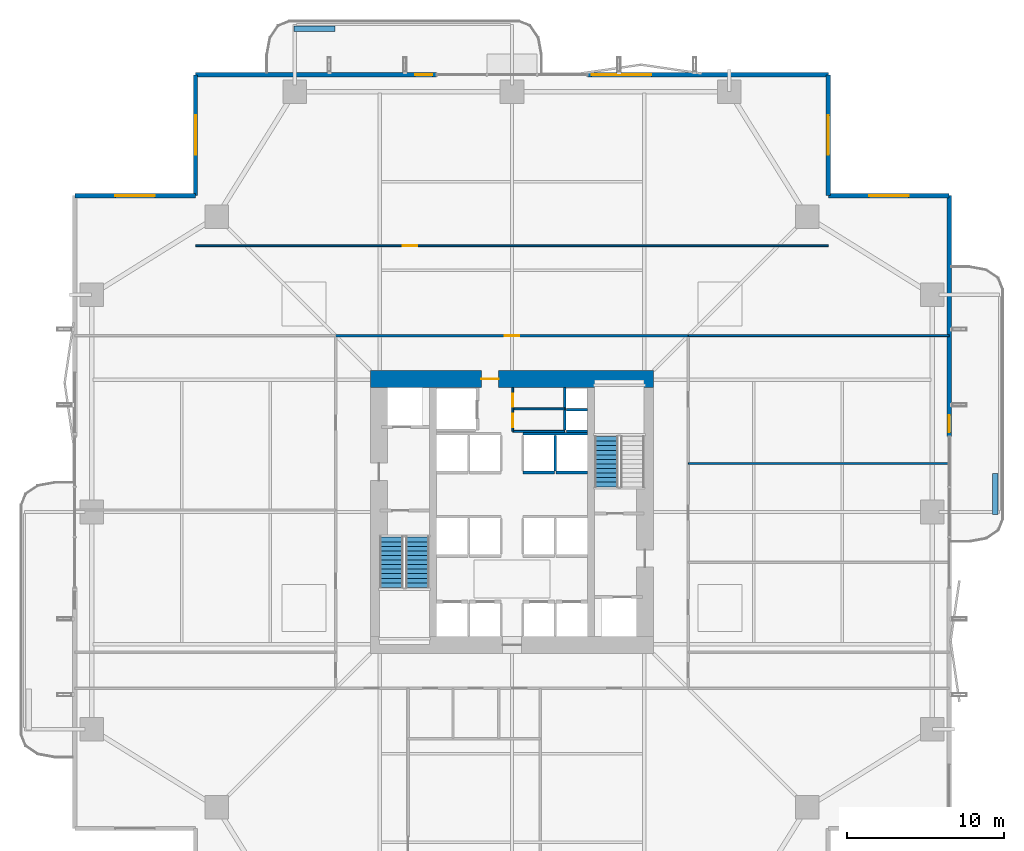
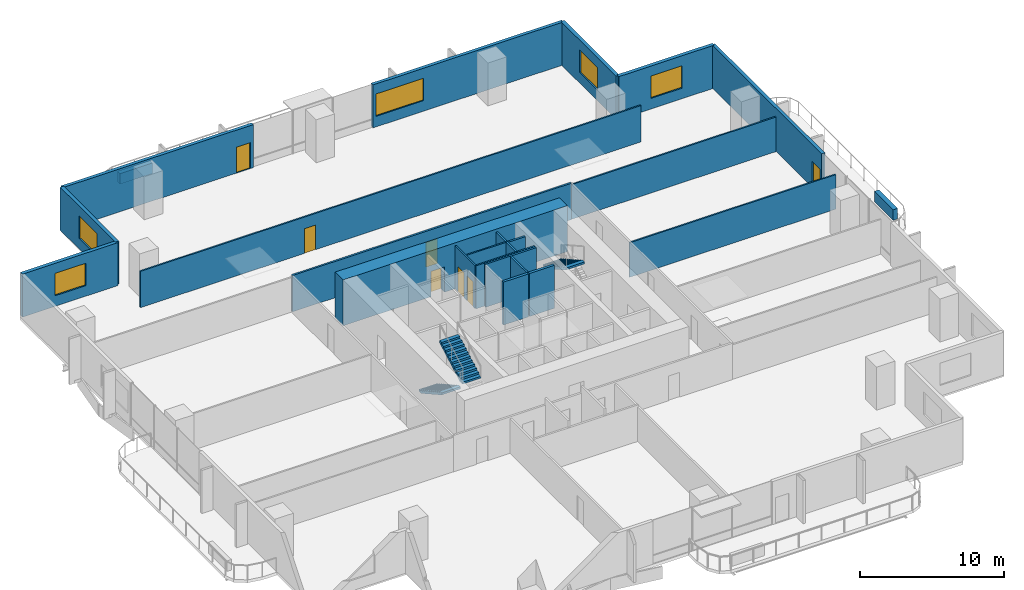
# One storey, part 19 of 24: 24 walls, 7 doors, 5 windows, 3 stair flights, 12 openings, 2 elements without a shape of their own.
"""IFC4 building model written with IfcOpenShell, lengths in metres."""

from ifc_helpers import new_model, si_unit, direction, frame, frame_2d, origin, place, context, subcontext, project, spatial, polyline, rectangle, outline, extrude, material, layer, layer_set, type_object, element, fill, aggregate, save


model = new_model("IFC4")

# Units and contexts
model_context = context("Model", 3, precision=1e-05, world=origin(), true_north=direction((0.0, 1.0)))
body_context = subcontext(model_context, "Body", "Model", "MODEL_VIEW")
ifc_project = project(units=[si_unit("LENGTHUNIT", "METRE"), si_unit("AREAUNIT", "SQUARE_METRE"), si_unit("VOLUMEUNIT", "CUBIC_METRE"), si_unit("PLANEANGLEUNIT", "RADIAN"), si_unit("MASSUNIT", "GRAM", prefix="KILO")], contexts=[model_context])

# Site, building, storey
site_placement = place(None, origin())
site = spatial("IfcSite", under=ifc_project, at=site_placement, CompositionType="ELEMENT")
building_placement = place(site_placement, origin())
building = spatial("IfcBuilding", under=site, at=building_placement, Name="Belovzor Exchange Tower", CompositionType="ELEMENT")
storey_placement = place(building_placement, frame((0.0, 0.0, 92.39990234375)))
storey = spatial("IfcBuildingStorey", under=building, at=storey_placement, Name="L22", CompositionType="ELEMENT", Elevation=92.39990234375)

# Wall, opening, door
ifc_material_1 = material(Name="Acoustic Plasterboard on Galvanised Studs", Category="gypsum")
ifc_layer_1 = layer(ifc_material_1, 0.1201171875)
ifc_layer_set_1 = layer_set([ifc_layer_1], Name="Acoustic Plasterboard on Galvanised Studs")
wall_type_1 = type_object("IfcWallType", Name="Acoustic Double-Stud Partition Wall 120", PredefinedType="PARTITIONING", material=ifc_layer_set_1)
wall_1_placement = place(storey_placement, frame((8.699951171875, 45.7099609375, 0.0), z_axis=(0.0, 0.0, 1.0), x_axis=(1.0, 0.0, 0.0)))
wall_1 = element("IfcWall", 1, at=wall_1_placement, inside=storey, type_object=wall_type_1, Name="W-P120 Partition Wall W-L22-NHDIV-0", PredefinedType="PARTITIONING", context=body_context, shape_type="SweptSolid", body=[
    extrude(rectangle(XDim=40.199951171875, YDim=0.1201171875, at=frame_2d((20.10009765625, 0.0))), origin(), (0.0, 0.0, 1.0), 3.085205078125),
])
opening_1_placement = place(wall_1_placement, frame((13.1669921875, 0.0, 0.0)))
opening_1 = element("IfcOpeningElement", 2, at=opening_1_placement, cuts=wall_1, Name="Opening D-INT-090", PredefinedType="OPENING", context=body_context, shape_type="SweptSolid", body=[
    extrude(rectangle(XDim=0.89990234375, YDim=2.10009765625, at=frame_2d((0.449951171875, 1.050048828125))), frame((0.0, 0.070068359375, 0.0), z_axis=(0.0, -1.0, 0.0), x_axis=(1.0, 0.0, 0.0)), (0.0, 0.0, 1.0), 0.14013671875),
])
ifc_material_2 = material(Name="Veneered Hardwood Acoustic Leaf", Category="wood")
door_type_1 = type_object("IfcDoorType", Name="Trading Suite Acoustic Single Door 900x2100", OperationType="NOTDEFINED", PredefinedType="DOOR", material=ifc_material_2)
door_1_placement = place(opening_1_placement, origin())
door_1 = element("IfcDoor", 3, at=door_1_placement, inside=storey, type_object=door_type_1, Name="D-INT-090 Trading Suite Acoustic Single Door 900x2100", OperationType="SINGLE_SWING_RIGHT", OverallHeight=2.10009765625, OverallWidth=0.89990234375, PredefinedType="DOOR", context=body_context, shape_type="SweptSolid", body=[
    extrude(rectangle(XDim=0.89990234375, YDim=2.10009765625, at=frame_2d((0.449951171875, 1.050048828125))), frame((0.0, 0.02490234375, 0.0), z_axis=(0.0, -1.0, 0.0), x_axis=(1.0, 0.0, 0.0)), (0.0, 0.0, 1.0), 0.050048828125),
])
fill(opening_1, door_1)

# Walls
for number, where, z_axis, x_axis, name in (
    (4, (40.0, 40.0, 0.0), (0.0, 0.0, 1.0), (1.0, 0.0, 0.0), "W-P120 Partition Wall W-L22-END-NE"),
    (5, (40.0, 31.884033203125, 0.0), (0.0, 0.0, 1.0), (1.0, 0.0, 0.0), "W-P120 Partition Wall W-L22-EDIV-3"),
):
    element("IfcWall", number, at=place(storey_placement, frame(where, z_axis=z_axis, x_axis=x_axis)), inside=storey, type_object=wall_type_1, Name=name, PredefinedType="PARTITIONING", context=body_context, shape_type="SweptSolid", body=[
        extrude(rectangle(XDim=16.570068359375, YDim=0.1201171875, at=frame_2d((8.28515625, 0.0))), origin(), (0.0, 0.0, 1.0), 2.93505859375),
    ])

# Wall, openings, doors
ifc_material_3 = material(Name="Fire-Rated Plasterboard on Galvanised Studs", Category="gypsum")
ifc_layer_2 = layer(ifc_material_3, 0.1201171875)
ifc_layer_set_2 = layer_set([ifc_layer_2], Name="Fire-Rated Plasterboard on Galvanised Studs")
wall_type_2 = type_object("IfcWallType", Name="Fire-Rated Double-Stud Partition Wall 120", PredefinedType="PARTITIONING", material=ifc_layer_set_2)
wall_2_placement = place(storey_placement, frame((28.85009765625, 33.925048828125, 0.0), z_axis=(0.0, 0.0, 1.0), x_axis=(0.0, 1.0, 0.0)))
wall_2 = element("IfcWall", 6, at=wall_2_placement, inside=storey, type_object=wall_type_2, Name="W-P120F Partition Wall W-CRV-L22-W", PredefinedType="PARTITIONING", context=body_context, shape_type="SweptSolid", body=[
    extrude(rectangle(XDim=2.77490234375, YDim=0.1201171875, at=frame_2d((1.387451171875, 0.0))), origin(), (0.0, 0.0, 1.0), 3.650146484375),
])
opening_2_placement = place(wall_2_placement, frame((0.25, 0.0, 0.0)))
opening_2 = element("IfcOpeningElement", 7, at=opening_2_placement, cuts=wall_2, Name="Opening D-FD60-085", PredefinedType="OPENING", context=body_context, shape_type="SweptSolid", body=[
    extrude(rectangle(XDim=0.85009765625, YDim=2.10009765625, at=frame_2d((0.425048828125, 1.050048828125))), frame((0.0, 0.070068359375, 0.0), z_axis=(0.0, -1.0, 0.0), x_axis=(1.0, 0.0, 0.0)), (0.0, 0.0, 1.0), 0.14013671875),
])
opening_3_placement = place(wall_2_placement, frame((1.544921875, 0.0, 0.0)))
opening_3 = element("IfcOpeningElement", 8, at=opening_3_placement, cuts=wall_2, Name="Opening D-FD60-085", PredefinedType="OPENING", context=body_context, shape_type="SweptSolid", body=[
    extrude(rectangle(XDim=0.85009765625, YDim=2.10009765625, at=frame_2d((0.425048828125, 1.050048828125))), frame((0.0, 0.070068359375, 0.0), z_axis=(0.0, -1.0, 0.0), x_axis=(1.0, 0.0, 0.0)), (0.0, 0.0, 1.0), 0.14013671875),
])
ifc_material_4 = material(Name="Fire-Rated Steel Access Leaf", Category="steel")
door_type_2 = type_object("IfcDoorType", Name="Riser & Meter Closet Access Fire Door 850x2100", OperationType="NOTDEFINED", PredefinedType="DOOR", material=ifc_material_4)
door_2_placement = place(opening_2_placement, origin())
door_2 = element("IfcDoor", 9, at=door_2_placement, inside=storey, type_object=door_type_2, Name="D-FD60-085 Riser & Meter Closet Access Fire Door 850x2100", OperationType="SINGLE_SWING_LEFT", OverallHeight=2.10009765625, OverallWidth=0.85009765625, PredefinedType="DOOR", context=body_context, shape_type="SweptSolid", body=[
    extrude(rectangle(XDim=0.85009765625, YDim=2.10009765625, at=frame_2d((0.425048828125, 1.050048828125))), frame((0.0, 0.02490234375, 0.0), z_axis=(0.0, -1.0, 0.0), x_axis=(1.0, 0.0, 0.0)), (0.0, 0.0, 1.0), 0.050048828125),
])
fill(opening_2, door_2)
door_3_placement = place(opening_3_placement, origin())
door_3 = element("IfcDoor", 10, at=door_3_placement, inside=storey, type_object=door_type_2, Name="D-FD60-085 Riser & Meter Closet Access Fire Door 850x2100", OperationType="SINGLE_SWING_RIGHT", OverallHeight=2.10009765625, OverallWidth=0.85009765625, PredefinedType="DOOR", context=body_context, shape_type="SweptSolid", body=[
    extrude(rectangle(XDim=0.85009765625, YDim=2.10009765625, at=frame_2d((0.425048828125, 1.050048828125))), frame((0.0, 0.02490234375, 0.0), z_axis=(0.0, -1.0, 0.0), x_axis=(1.0, 0.0, 0.0)), (0.0, 0.0, 1.0), 0.050048828125),
])
fill(opening_3, door_3)

# Walls
for number, where, z_axis, x_axis, name in (
    (11, (28.85009765625, 35.35009765625, 0.0), (0.0, 0.0, 1.0), (1.0, 0.0, 0.0), "W-P120F Partition Wall W-CRV-L22-M"),
    (12, (28.85009765625, 33.925048828125, 0.0), (0.0, 0.0, 1.0), (1.0, 0.0, 0.0), "W-P120F Partition Wall W-CRV-L22-S"),
):
    element("IfcWall", number, at=place(storey_placement, frame(where, z_axis=z_axis, x_axis=x_axis)), inside=storey, type_object=wall_type_2, Name=name, PredefinedType="PARTITIONING", context=body_context, shape_type="SweptSolid", body=[
        extrude(rectangle(XDim=3.2998046875, YDim=0.1201171875, at=frame_2d((1.64990234375, 0.0))), origin(), (0.0, 0.0, 1.0), 3.650146484375),
    ])

# Wall, opening, door
ifc_material_5 = material(Name="Fire-Rated Gypsum Block and Mineral Wool", Category="gypsum")
ifc_layer_3 = layer(ifc_material_5, 0.14990234375)
ifc_layer_set_3 = layer_set([ifc_layer_3], Name="Fire-Rated Gypsum Block and Mineral Wool")
wall_type_3 = type_object("IfcWallType", Name="Fire-Rated Gypsum Block Corridor Wall 150", PredefinedType="PARTITIONING", material=ifc_layer_set_3)
wall_3_placement = place(storey_placement, frame((17.60009765625, 40.0, 0.0), z_axis=(0.0, 0.0, 1.0), x_axis=(1.0, 0.0, 0.0)))
wall_3 = element("IfcWall", 13, at=wall_3_placement, inside=storey, type_object=wall_type_3, Name="W-P150 Partition Wall W-L22-CN", PredefinedType="PARTITIONING", context=body_context, shape_type="SweptSolid", body=[
    extrude(rectangle(XDim=22.39990234375, YDim=0.14990234375, at=frame_2d((11.199951171875, 0.0))), origin(), (0.0, 0.0, 1.0), 3.085205078125),
])
opening_4_placement = place(wall_3_placement, frame((10.75, 0.0, 0.0)))
opening_4 = element("IfcOpeningElement", 14, at=opening_4_placement, cuts=wall_3, Name="Opening D-INT-090", PredefinedType="OPENING", context=body_context, shape_type="SweptSolid", body=[
    extrude(rectangle(XDim=0.89990234375, YDim=2.10009765625, at=frame_2d((0.449951171875, 1.050048828125))), frame((0.0, 0.0849609375, 0.0), z_axis=(0.0, -1.0, 0.0), x_axis=(1.0, 0.0, 0.0)), (0.0, 0.0, 1.0), 0.169921875),
])
door_4_placement = place(opening_4_placement, origin())
door_4 = element("IfcDoor", 15, at=door_4_placement, inside=storey, type_object=door_type_1, Name="D-INT-090 Trading Suite Acoustic Single Door 900x2100", OperationType="SINGLE_SWING_RIGHT", OverallHeight=2.10009765625, OverallWidth=0.89990234375, PredefinedType="DOOR", context=body_context, shape_type="SweptSolid", body=[
    extrude(rectangle(XDim=0.89990234375, YDim=2.10009765625, at=frame_2d((0.449951171875, 1.050048828125))), frame((0.0, 0.02490234375, 0.0), z_axis=(0.0, -1.0, 0.0), x_axis=(1.0, 0.0, 0.0)), (0.0, 0.0, 1.0), 0.050048828125),
])
fill(opening_4, door_4)

# Wall, opening, window
ifc_material_6 = material(Name="Precast concrete C40/50", Category="concrete")
ifc_layer_4 = layer(ifc_material_6, 0.280029296875)
ifc_layer_set_4 = layer_set([ifc_layer_4], Name="Precast concrete C40/50")
wall_type_4 = type_object("IfcWallType", Name="Precast Concrete Notched Corner Frame Wall 280", PredefinedType="SOLIDWALL", material=ifc_layer_set_4)
wall_4_placement = place(storey_placement, frame((1.030029296875, 48.89990234375, 0.0), z_axis=(0.0, 0.0, 1.0), x_axis=(1.0, 0.0, 0.0)))
wall_4 = element("IfcWall", 16, at=wall_4_placement, inside=storey, type_object=wall_type_4, Name="W-CRN280 Precast Concrete Notched Corner Frame Wall 280 L22", PredefinedType="SOLIDWALL", context=body_context, shape_type="SweptSolid", body=[
    extrude(rectangle(XDim=7.669921875, YDim=0.280029296875, at=frame_2d((3.8349609375, 0.0))), origin(), (0.0, 0.0, 1.0), 3.650146484375),
])
opening_5_placement = place(wall_4_placement, frame((2.5849609375, 0.0, 0.89990234375)))
opening_5 = element("IfcOpeningElement", 17, at=opening_5_placement, cuts=wall_4, Name="Opening WN-CRN250", PredefinedType="OPENING", context=body_context, shape_type="SweptSolid", body=[
    extrude(rectangle(XDim=2.5, YDim=1.89990234375, at=frame_2d((1.25, 0.949951171875))), frame((0.0, 0.14990234375, 0.0), z_axis=(0.0, -1.0, 0.0), x_axis=(1.0, 0.0, 0.0)), (0.0, 0.0, 1.0), 0.300048828125),
])
ifc_material_7 = material(Name="Thermally Broken Aluminium and Triple Glazing", Category="aluminium")
window_type_1 = type_object("IfcWindowType", Name="Streamline Moderne Corner Wrap Ribbon Window 2500x1900", PartitioningType="SINGLE_PANEL", PredefinedType="WINDOW", material=ifc_material_7)
window_1_placement = place(opening_5_placement, origin())
window_1 = element("IfcWindow", 18, at=window_1_placement, inside=storey, type_object=window_type_1, Name="WN-CRN250 Streamline Moderne Corner Wrap Ribbon Window 2500x1900", OverallHeight=1.89990234375, OverallWidth=2.5, PartitioningType="SINGLE_PANEL", PredefinedType="WINDOW", context=body_context, shape_type="SweptSolid", body=[
    extrude(rectangle(XDim=2.5, YDim=1.89990234375, at=frame_2d((1.25, 0.949951171875))), frame((0.0, 0.030029296875, 0.0), z_axis=(0.0, -1.0, 0.0), x_axis=(1.0, 0.0, 0.0)), (0.0, 0.0, 1.0), 0.06005859375),
])
fill(opening_5, window_1)

wall_5_placement = place(storey_placement, frame((8.699951171875, 48.89990234375, 0.0), z_axis=(0.0, 0.0, 1.0), x_axis=(0.0, 1.0, 0.0)))
wall_5 = element("IfcWall", 19, at=wall_5_placement, inside=storey, type_object=wall_type_4, Name="W-CRN280 Precast Concrete Notched Corner Frame Wall 280 L22", PredefinedType="SOLIDWALL", context=body_context, shape_type="SweptSolid", body=[
    extrude(rectangle(XDim=7.670166015625, YDim=0.280029296875, at=frame_2d((3.8349609375, 0.0))), origin(), (0.0, 0.0, 1.0), 3.650146484375),
])
opening_6_placement = place(wall_5_placement, frame((2.5849609375, 0.0, 0.89990234375)))
opening_6 = element("IfcOpeningElement", 20, at=opening_6_placement, cuts=wall_5, Name="Opening WN-CRN250", PredefinedType="OPENING", context=body_context, shape_type="SweptSolid", body=[
    extrude(rectangle(XDim=2.5, YDim=1.89990234375, at=frame_2d((1.25, 0.949951171875))), frame((0.0, 0.14990234375, 0.0), z_axis=(0.0, -1.0, 0.0), x_axis=(1.0, 0.0, 0.0)), (0.0, 0.0, 1.0), 0.300048828125),
])
window_2_placement = place(opening_6_placement, origin())
window_2 = element("IfcWindow", 21, at=window_2_placement, inside=storey, type_object=window_type_1, Name="WN-CRN250 Streamline Moderne Corner Wrap Ribbon Window 2500x1900", OverallHeight=1.89990234375, OverallWidth=2.5, PartitioningType="SINGLE_PANEL", PredefinedType="WINDOW", context=body_context, shape_type="SweptSolid", body=[
    extrude(rectangle(XDim=2.5, YDim=1.89990234375, at=frame_2d((1.25, 0.949951171875))), frame((0.0, 0.030029296875, 0.0), z_axis=(0.0, -1.0, 0.0), x_axis=(1.0, 0.0, 0.0)), (0.0, 0.0, 1.0), 0.06005859375),
])
fill(opening_6, window_2)

wall_6_placement = place(storey_placement, frame((48.89990234375, 56.570068359375, 0.0), z_axis=(0.0, 0.0, 1.0), x_axis=(0.0, -1.0, 0.0)))
wall_6 = element("IfcWall", 22, at=wall_6_placement, inside=storey, type_object=wall_type_4, Name="W-CRN280 Precast Concrete Notched Corner Frame Wall 280 L22", PredefinedType="SOLIDWALL", context=body_context, shape_type="SweptSolid", body=[
    extrude(rectangle(XDim=7.670166015625, YDim=0.280029296875, at=frame_2d((3.8349609375, 0.0))), origin(), (0.0, 0.0, 1.0), 3.650146484375),
])
opening_7_placement = place(wall_6_placement, frame((2.5849609375, 0.0, 0.89990234375)))
opening_7 = element("IfcOpeningElement", 23, at=opening_7_placement, cuts=wall_6, Name="Opening WN-CRN250", PredefinedType="OPENING", context=body_context, shape_type="SweptSolid", body=[
    extrude(rectangle(XDim=2.5, YDim=1.89990234375, at=frame_2d((1.25, 0.949951171875))), frame((0.0, 0.14990234375, 0.0), z_axis=(0.0, -1.0, 0.0), x_axis=(1.0, 0.0, 0.0)), (0.0, 0.0, 1.0), 0.300048828125),
])
window_3_placement = place(opening_7_placement, origin())
window_3 = element("IfcWindow", 24, at=window_3_placement, inside=storey, type_object=window_type_1, Name="WN-CRN250 Streamline Moderne Corner Wrap Ribbon Window 2500x1900", OverallHeight=1.89990234375, OverallWidth=2.5, PartitioningType="SINGLE_PANEL", PredefinedType="WINDOW", context=body_context, shape_type="SweptSolid", body=[
    extrude(rectangle(XDim=2.5, YDim=1.89990234375, at=frame_2d((1.25, 0.949951171875))), frame((0.0, 0.030029296875, 0.0), z_axis=(0.0, -1.0, 0.0), x_axis=(1.0, 0.0, 0.0)), (0.0, 0.0, 1.0), 0.06005859375),
])
fill(opening_7, window_3)

wall_7_placement = place(storey_placement, frame((48.89990234375, 48.89990234375, 0.0), z_axis=(0.0, 0.0, 1.0), x_axis=(1.0, 0.0, 0.0)))
wall_7 = element("IfcWall", 25, at=wall_7_placement, inside=storey, type_object=wall_type_4, Name="W-CRN280 Precast Concrete Notched Corner Frame Wall 280 L22", PredefinedType="SOLIDWALL", context=body_context, shape_type="SweptSolid", body=[
    extrude(rectangle(XDim=7.670166015625, YDim=0.280029296875, at=frame_2d((3.8349609375, 0.0))), origin(), (0.0, 0.0, 1.0), 3.650146484375),
])
opening_8_placement = place(wall_7_placement, frame((2.5849609375, 0.0, 0.89990234375)))
opening_8 = element("IfcOpeningElement", 26, at=opening_8_placement, cuts=wall_7, Name="Opening WN-CRN250", PredefinedType="OPENING", context=body_context, shape_type="SweptSolid", body=[
    extrude(rectangle(XDim=2.5, YDim=1.89990234375, at=frame_2d((1.25, 0.949951171875))), frame((0.0, 0.14990234375, 0.0), z_axis=(0.0, -1.0, 0.0), x_axis=(1.0, 0.0, 0.0)), (0.0, 0.0, 1.0), 0.300048828125),
])
window_4_placement = place(opening_8_placement, origin())
window_4 = element("IfcWindow", 27, at=window_4_placement, inside=storey, type_object=window_type_1, Name="WN-CRN250 Streamline Moderne Corner Wrap Ribbon Window 2500x1900", OverallHeight=1.89990234375, OverallWidth=2.5, PartitioningType="SINGLE_PANEL", PredefinedType="WINDOW", context=body_context, shape_type="SweptSolid", body=[
    extrude(rectangle(XDim=2.5, YDim=1.89990234375, at=frame_2d((1.25, 0.949951171875))), frame((0.0, 0.030029296875, 0.0), z_axis=(0.0, -1.0, 0.0), x_axis=(1.0, 0.0, 0.0)), (0.0, 0.0, 1.0), 0.06005859375),
])
fill(opening_8, window_4)

# Wall, opening, door
ifc_material_8 = material(Name="Precast concrete C40/50", Category="concrete")
ifc_layer_5 = layer(ifc_material_8, 0.260009765625)
ifc_layer_set_5 = layer_set([ifc_layer_5], Name="Precast concrete C40/50")
wall_type_5 = type_object("IfcWallType", Name="Precast Concrete Perimeter Loggia Frame Wall 260", PredefinedType="SOLIDWALL", material=ifc_layer_set_5)
wall_8_placement = place(storey_placement, frame((8.699951171875, 56.570068359375, 0.0), z_axis=(0.0, 0.0, 1.0), x_axis=(1.0, 0.0, 0.0)))
wall_8 = element("IfcWall", 28, at=wall_8_placement, inside=storey, type_object=wall_type_5, Name="W-EXT260 Precast Concrete Perimeter Loggia Frame Wall 260 L22", PredefinedType="SOLIDWALL", context=body_context, shape_type="SweptSolid", body=[
    extrude(rectangle(XDim=15.300048828125, YDim=0.260009765625, at=frame_2d((7.64990234375, 0.0))), origin(), (0.0, 0.0, 1.0), 3.650146484375),
])
opening_9_placement = place(wall_8_placement, frame((13.949951171875, 0.0, 0.0)))
opening_9 = element("IfcOpeningElement", 29, at=opening_9_placement, cuts=wall_8, Name="Opening D-BAL110", PredefinedType="OPENING", context=body_context, shape_type="SweptSolid", body=[
    extrude(rectangle(XDim=1.10009765625, YDim=2.199951171875, at=frame_2d((0.550048828125, 1.10009765625))), frame((0.0, 0.139892578125, 0.0), z_axis=(0.0, -1.0, 0.0), x_axis=(1.0, 0.0, 0.0)), (0.0, 0.0, 1.0), 0.280029296875),
])
ifc_material_9 = material(Name="Thermally Broken Anodised Aluminium and Laminated Glass", Category="aluminium")
door_type_3 = type_object("IfcDoorType", Name="Planted Loggia Terrace Glazed Door 1100x2200", OperationType="SINGLE_SWING_LEFT", PredefinedType="DOOR", material=ifc_material_9)
door_5_placement = place(opening_9_placement, origin())
door_5 = element("IfcDoor", 30, at=door_5_placement, inside=storey, type_object=door_type_3, Name="D-BAL110 Balcony Terrace Door L22 N", OperationType="SINGLE_SWING_RIGHT", OverallHeight=2.199951171875, OverallWidth=1.10009765625, PredefinedType="DOOR", context=body_context, shape_type="SweptSolid", body=[
    extrude(rectangle(XDim=1.10009765625, YDim=2.199951171875, at=frame_2d((0.550048828125, 1.10009765625))), frame((0.0, 0.02490234375, 0.0), z_axis=(0.0, -1.0, 0.0), x_axis=(1.0, 0.0, 0.0)), (0.0, 0.0, 1.0), 0.050048828125),
])
fill(opening_9, door_5)

# Wall, opening, window
wall_9_placement = place(storey_placement, frame((33.60009765625, 56.570068359375, 0.0), z_axis=(0.0, 0.0, 1.0), x_axis=(1.0, 0.0, 0.0)))
wall_9 = element("IfcWall", 31, at=wall_9_placement, inside=storey, type_object=wall_type_5, Name="W-EXT260 Precast Concrete Perimeter Loggia Frame Wall 260 L22", PredefinedType="SOLIDWALL", context=body_context, shape_type="SweptSolid", body=[
    extrude(rectangle(XDim=15.2998046875, YDim=0.260009765625, at=frame_2d((7.64990234375, 0.0))), origin(), (0.0, 0.0, 1.0), 3.650146484375),
])
opening_10_placement = place(wall_9_placement, frame((0.25, 0.0, 0.89990234375)))
opening_10 = element("IfcOpeningElement", 32, at=opening_10_placement, cuts=wall_9, Name="Opening WN-RIB380", PredefinedType="OPENING", context=body_context, shape_type="SweptSolid", body=[
    extrude(rectangle(XDim=3.800048828125, YDim=1.89990234375, at=frame_2d((1.89990234375, 0.949951171875))), frame((0.0, 0.139892578125, 0.0), z_axis=(0.0, -1.0, 0.0), x_axis=(1.0, 0.0, 0.0)), (0.0, 0.0, 1.0), 0.280029296875),
])
ifc_material_10 = material(Name="Thermally Broken Aluminium and Triple Glazing", Category="aluminium")
window_type_2 = type_object("IfcWindowType", Name="Streamline Moderne Horizontal Ribbon Window 3800x1900", PartitioningType="SINGLE_PANEL", PredefinedType="WINDOW", material=ifc_material_10)
window_5_placement = place(opening_10_placement, origin())
window_5 = element("IfcWindow", 33, at=window_5_placement, inside=storey, type_object=window_type_2, Name="WN-RIB380 Streamline Moderne Horizontal Ribbon Window 3800x1900", OverallHeight=1.89990234375, OverallWidth=3.800048828125, PartitioningType="SINGLE_PANEL", PredefinedType="WINDOW", context=body_context, shape_type="SweptSolid", body=[
    extrude(rectangle(XDim=3.800048828125, YDim=1.89990234375, at=frame_2d((1.89990234375, 0.949951171875))), frame((0.0, 0.030029296875, 0.0), z_axis=(0.0, -1.0, 0.0), x_axis=(1.0, 0.0, 0.0)), (0.0, 0.0, 1.0), 0.06005859375),
])
fill(opening_10, window_5)

# Wall, opening, door
wall_10_placement = place(storey_placement, frame((56.570068359375, 48.89990234375, 0.0), z_axis=(0.0, 0.0, 1.0), x_axis=(0.0, -1.0, 0.0)))
wall_10 = element("IfcWall", 34, at=wall_10_placement, inside=storey, type_object=wall_type_5, Name="W-EXT260 Precast Concrete Perimeter Loggia Frame Wall 260 L22", PredefinedType="SOLIDWALL", context=body_context, shape_type="SweptSolid", body=[
    extrude(rectangle(XDim=15.2998046875, YDim=0.260009765625, at=frame_2d((7.64990234375, 0.0))), origin(), (0.0, 0.0, 1.0), 3.650146484375),
])
opening_11_placement = place(wall_10_placement, frame((13.949951171875, 0.0, 0.0)))
opening_11 = element("IfcOpeningElement", 35, at=opening_11_placement, cuts=wall_10, Name="Opening D-BAL110", PredefinedType="OPENING", context=body_context, shape_type="SweptSolid", body=[
    extrude(rectangle(XDim=1.10009765625, YDim=2.199951171875, at=frame_2d((0.550048828125, 1.10009765625))), frame((0.0, 0.139892578125, 0.0), z_axis=(0.0, -1.0, 0.0), x_axis=(1.0, 0.0, 0.0)), (0.0, 0.0, 1.0), 0.280029296875),
])
door_6_placement = place(opening_11_placement, origin())
door_6 = element("IfcDoor", 36, at=door_6_placement, inside=storey, type_object=door_type_3, Name="D-BAL110 Balcony Terrace Door L22 E", OperationType="SINGLE_SWING_LEFT", OverallHeight=2.199951171875, OverallWidth=1.10009765625, PredefinedType="DOOR", context=body_context, shape_type="SweptSolid", body=[
    extrude(rectangle(XDim=1.10009765625, YDim=2.199951171875, at=frame_2d((0.550048828125, 1.10009765625))), frame((0.0, 0.02490234375, 0.0), z_axis=(0.0, -1.0, 0.0), x_axis=(1.0, 0.0, 0.0)), (0.0, 0.0, 1.0), 0.050048828125),
])
fill(opening_11, door_6)

# Walls
ifc_material_11 = material(Name="Precast concrete C40/50", Category="concrete")
ifc_layer_6 = layer(ifc_material_11, 0.35009765625)
ifc_layer_set_6 = layer_set([ifc_layer_6], Name="Precast concrete C40/50")
wall_type_6 = type_object("IfcWallType", Name="Precast Concrete Structural Tree Planter Trough 350", PredefinedType="PARAPET", material=ifc_layer_set_6)
for number, where, z_axis, x_axis, name in (
    (37, (14.949951171875, 59.5, 0.0), (0.0, 0.0, 1.0), (1.0, 0.0, 0.0), "PT-350 Precast Concrete Structural Tree Planter Trough 350 L22"),
    (38, (59.5, 28.64990234375, 0.0), (0.0, 0.0, 1.0), (0.0, 1.0, 0.0), "PT-350 Precast Concrete Structural Tree Planter Trough 350 L22"),
):
    element("IfcWall", number, at=place(storey_placement, frame(where, z_axis=z_axis, x_axis=x_axis)), inside=storey, type_object=wall_type_6, Name=name, PredefinedType="PARAPET", context=body_context, shape_type="SweptSolid", body=[
        extrude(rectangle(XDim=2.60009765625, YDim=0.35009765625, at=frame_2d((1.300048828125, 0.0))), origin(), (0.0, 0.0, 1.0), 0.900146484375),
    ])
ifc_material_12 = material(Name="Concrete C50/60", Category="concrete")
ifc_layer_7 = layer(ifc_material_12, 0.14990234375)
ifc_layer_set_7 = layer_set([ifc_layer_7], Name="Concrete C50/60")
wall_type_7 = type_object("IfcWallType", Name="Reinforced Concrete Core Riser Shear Wall 150", PredefinedType="SHEAR", material=ifc_layer_set_7)
wall_11_placement = place(storey_placement, frame((32.14990234375, 34.0, 0.0), z_axis=(0.0, 0.0, 1.0), x_axis=(0.0, 1.0, 0.0)))
element("IfcWall", 39, at=wall_11_placement, inside=storey, type_object=wall_type_7, Name="W-C150S Core Shaft Wall W-RSR-L22-E", PredefinedType="SHEAR", context=body_context, shape_type="SweptSolid", body=[
    extrude(rectangle(XDim=2.699951171875, YDim=0.14990234375, at=frame_2d((1.35009765625, 0.0))), origin(), (0.0, 0.0, 1.0), 3.650146484375),
])
for number, where, z_axis, x_axis, name in (
    (40, (32.25, 33.925048828125, 0.0), (0.0, 0.0, 1.0), (1.0, 0.0, 0.0), "W-C150S Core Shaft Wall W-RSR-L22-S"),
    (41, (32.25, 35.300048828125, 0.0), (0.0, 0.0, 1.0), (1.0, 0.0, 0.0), "W-C150S Core Shaft Wall W-RSR-L22-M"),
):
    element("IfcWall", number, at=place(storey_placement, frame(where, z_axis=z_axis, x_axis=x_axis)), inside=storey, type_object=wall_type_7, Name=name, PredefinedType="SHEAR", context=body_context, shape_type="SweptSolid", body=[
        extrude(rectangle(XDim=1.330078125, YDim=0.14990234375, at=frame_2d((0.6650390625, 0.0))), origin(), (0.0, 0.0, 1.0), 3.650146484375),
    ])
wall_12_placement = place(storey_placement, frame((29.5, 33.760009765625, 0.0), z_axis=(0.0, 0.0, 1.0), x_axis=(1.0, 0.0, 0.0)))
element("IfcWall", 42, at=wall_12_placement, inside=storey, type_object=wall_type_7, Name="W-C150S Core Shaft Wall W-SHB-L22-PLH-NE", PredefinedType="SHEAR", context=body_context, shape_type="SweptSolid", body=[
    extrude(rectangle(XDim=4.080078125, YDim=0.14990234375, at=frame_2d((2.0400390625, 0.0))), origin(), (0.0, 0.0, 1.0), 3.650146484375),
])
wall_13_placement = place(storey_placement, frame((31.550048828125, 31.419921875, 0.0), z_axis=(0.0, 0.0, 1.0), x_axis=(0.0, 1.0, 0.0)))
element("IfcWall", 43, at=wall_13_placement, inside=storey, type_object=wall_type_7, Name="W-C150S Core Shaft Wall W-SHD-L22-PLH-4", PredefinedType="SHEAR", context=body_context, shape_type="SweptSolid", body=[
    extrude(rectangle(XDim=2.239990234375, YDim=0.14990234375, at=frame_2d((1.1201171875, 0.0))), origin(), (0.0, 0.0, 1.0), 3.650146484375),
])
ifc_material_13 = material(Name="Concrete C50/60", Category="concrete")
ifc_layer_8 = layer(ifc_material_13, 0.199951171875)
ifc_layer_set_8 = layer_set([ifc_layer_8], Name="Concrete C50/60")
wall_type_8 = type_object("IfcWallType", Name="Reinforced Concrete Core Shaft Shear Wall 200", PredefinedType="SHEAR", material=ifc_layer_set_8)
for number, where, z_axis, x_axis, name in (
    (44, (29.5, 31.300048828125, 0.0), (0.0, 0.0, 1.0), (1.0, 0.0, 0.0), "W-C200S Core Shaft Wall W-SH-L22-PL-H3"),
    (45, (31.60009765625, 31.300048828125, 0.0), (0.0, 0.0, 1.0), (1.0, 0.0, 0.0), "W-C200S Core Shaft Wall W-SH-L22-PL-H4"),
):
    element("IfcWall", number, at=place(storey_placement, frame(where, z_axis=z_axis, x_axis=x_axis)), inside=storey, type_object=wall_type_8, Name=name, PredefinedType="SHEAR", context=body_context, shape_type="SweptSolid", body=[
        extrude(rectangle(XDim=2.0, YDim=0.199951171875, at=frame_2d((1.0, 0.0))), origin(), (0.0, 0.0, 1.0), 3.650146484375),
    ])

# Wall, opening, door
ifc_material_14 = material(Name="Concrete C60/75", Category="concrete")
ifc_layer_9 = layer(ifc_material_14, 1.10009765625)
ifc_layer_set_9 = layer_set([ifc_layer_9], Name="Concrete C60/75")
wall_type_9 = type_object("IfcWallType", Name="Reinforced Concrete Core Shear Wall 1100", PredefinedType="SHEAR", material=ifc_layer_set_9)
wall_14_placement = place(storey_placement, frame((19.800048828125, 37.25, 0.0), z_axis=(0.0, 0.0, 1.0), x_axis=(1.0, 0.0, 0.0)))
wall_14 = element("IfcWall", 46, at=wall_14_placement, inside=storey, type_object=wall_type_9, Name="CW-S110 Core Shear Wall L22 N", PredefinedType="SHEAR", context=body_context, shape_type="SweptSolid", body=[
    extrude(rectangle(XDim=18.0, YDim=1.10009765625, at=frame_2d((9.0, 0.0))), origin(), (0.0, 0.0, 1.0), 3.900146484375),
])
opening_12_placement = place(wall_14_placement, frame((7.050048828125, 0.0, 0.0)))
opening_12 = element("IfcOpeningElement", 47, at=opening_12_placement, cuts=wall_14, Name="Opening D-FD90-110", PredefinedType="OPENING", context=body_context, shape_type="SweptSolid", body=[
    extrude(rectangle(XDim=1.10009765625, YDim=2.14990234375, at=frame_2d((0.550048828125, 1.074951171875))), frame((0.0, 0.56005859375, 0.0), z_axis=(0.0, -1.0, 0.0), x_axis=(1.0, 0.0, 0.0)), (0.0, 0.0, 1.0), 1.1201171875),
])
ifc_material_15 = material(Name="Fire-Rated Galvanised Steel Leaf", Category="steel")
door_type_4 = type_object("IfcDoorType", Name="Protected Escape Vestibule Fire Door 1100x2150", OperationType="NOTDEFINED", PredefinedType="DOOR", material=ifc_material_15)
door_7_placement = place(opening_12_placement, origin())
door_7 = element("IfcDoor", 48, at=door_7_placement, inside=storey, type_object=door_type_4, Name="D-FD90-110 Protected Escape Vestibule Fire Door 1100x2150", OperationType="SINGLE_SWING_RIGHT", OverallHeight=2.14990234375, OverallWidth=1.10009765625, PredefinedType="DOOR", context=body_context, shape_type="SweptSolid", body=[
    extrude(rectangle(XDim=1.10009765625, YDim=2.14990234375, at=frame_2d((0.550048828125, 1.074951171875))), frame((0.0, 0.02490234375, 0.0), z_axis=(0.0, -1.0, 0.0), x_axis=(1.0, 0.0, 0.0)), (0.0, 0.0, 1.0), 0.050048828125),
])
fill(opening_12, door_7)

# Stair, stair flights
ifc_material_16 = material(Name="Concrete C40/50", Category="concrete")
stair_type = type_object("IfcStairType", Name="Reinforced Concrete Dogleg Escape Stair 1350", PredefinedType="HALF_TURN_STAIR", material=ifc_material_16)
stair_1_placement = place(storey_placement, origin())
stair_1 = element("IfcStair", 49, at=stair_1_placement, inside=storey, type_object=stair_type, Name="L22 ST-1", PredefinedType="HALF_TURN_STAIR")
ifc_material_17 = material(Name="Concrete C40/50", Category="concrete")
stair_flight_type = type_object("IfcStairFlightType", Name="Reinforced Concrete Stair Flight 1350", PredefinedType="STRAIGHT", material=ifc_material_17)
stair_flight_1_placement = place(storey_placement, frame((21.14990234375, 27.199951171875, 0.0), z_axis=(0.0, 0.0, 1.0), x_axis=(0.0, -1.0, 0.0)))
stair_flight_1 = element("IfcStairFlight", 50, at=stair_flight_1_placement, type_object=stair_flight_type, Name="ST-1 flight 1", NumberOfRisers=12, NumberOfTreads=11, PredefinedType="STRAIGHT", RiserHeight=0.1625, TreadLength=0.29, context=body_context, shape_type="SweptSolid", body=[
    extrude(outline(polyline([(0.0, 0.0), (0.0, 0.16259765625), (0.2900390625, 0.16259765625), (0.2900390625, 0.324951171875), (0.580078125, 0.324951171875), (0.580078125, 0.487548828125), (0.8701171875, 0.487548828125), (0.8701171875, 0.64990234375), (1.159912109375, 0.64990234375), (1.159912109375, 0.8125), (1.449951171875, 0.8125), (1.449951171875, 0.97509765625), (1.739990234375, 0.97509765625), (1.739990234375, 1.137451171875), (2.030029296875, 1.137451171875), (2.030029296875, 1.300048828125), (2.320068359375, 1.300048828125), (2.320068359375, 1.46240234375), (2.610107421875, 1.46240234375), (2.610107421875, 1.625), (2.89990234375, 1.625), (2.89990234375, 1.78759765625), (3.18994140625, 1.78759765625), (3.18994140625, 1.949951171875), (3.18994140625, 1.61572265625), (0.306640625, 0.0), (0.0, 0.0)])), frame((0.0, 0.75, 0.0), z_axis=(0.0, -1.0, 0.0), x_axis=(1.0, 0.0, 0.0)), (0.0, 0.0, 1.0), 1.5),
])
stair_flight_2_placement = place(storey_placement, frame((22.800048828125, 24.010009765625, 1.9501953125), z_axis=(0.0, 0.0, 1.0), x_axis=(0.0, 1.0, 0.0)))
stair_flight_2 = element("IfcStairFlight", 51, at=stair_flight_2_placement, type_object=stair_flight_type, Name="ST-1 flight 2", NumberOfRisers=12, NumberOfTreads=11, PredefinedType="STRAIGHT", RiserHeight=0.1625, TreadLength=0.29, context=body_context, shape_type="SweptSolid", body=[
    extrude(outline(polyline([(0.0, 0.0), (0.0, 0.16259765625), (0.2900390625, 0.16259765625), (0.2900390625, 0.324951171875), (0.580078125, 0.324951171875), (0.580078125, 0.487548828125), (0.8701171875, 0.487548828125), (0.8701171875, 0.64990234375), (1.159912109375, 0.64990234375), (1.159912109375, 0.8125), (1.449951171875, 0.8125), (1.449951171875, 0.97509765625), (1.739990234375, 0.97509765625), (1.739990234375, 1.137451171875), (2.030029296875, 1.137451171875), (2.030029296875, 1.300048828125), (2.320068359375, 1.300048828125), (2.320068359375, 1.46240234375), (2.610107421875, 1.46240234375), (2.610107421875, 1.625), (2.89990234375, 1.625), (2.89990234375, 1.78759765625), (3.18994140625, 1.78759765625), (3.18994140625, 1.949951171875), (3.18994140625, 1.61572265625), (0.306640625, 0.0), (0.0, 0.0)])), frame((0.0, 0.75, 0.0), z_axis=(0.0, -1.0, 0.0), x_axis=(1.0, 0.0, 0.0)), (0.0, 0.0, 1.0), 1.5),
])
aggregate(stair_1, [stair_flight_1, stair_flight_2])

# Stair, stair flight
stair_2_placement = place(storey_placement, origin())
stair_2 = element("IfcStair", 52, at=stair_2_placement, inside=storey, type_object=stair_type, Name="L22 ST-2", PredefinedType="HALF_TURN_STAIR")
stair_flight_3_placement = place(storey_placement, frame((34.800048828125, 33.590087890625, 1.9501953125), z_axis=(0.0, 0.0, 1.0), x_axis=(0.0, -1.0, 0.0)))
stair_flight_3 = element("IfcStairFlight", 53, at=stair_flight_3_placement, type_object=stair_flight_type, Name="ST-2 flight 2", NumberOfRisers=12, NumberOfTreads=11, PredefinedType="STRAIGHT", RiserHeight=0.1625, TreadLength=0.29, context=body_context, shape_type="SweptSolid", body=[
    extrude(outline(polyline([(0.0, 0.0), (0.0, 0.16259765625), (0.2900390625, 0.16259765625), (0.2900390625, 0.324951171875), (0.580078125, 0.324951171875), (0.580078125, 0.487548828125), (0.8701171875, 0.487548828125), (0.8701171875, 0.64990234375), (1.159912109375, 0.64990234375), (1.159912109375, 0.8125), (1.449951171875, 0.8125), (1.449951171875, 0.97509765625), (1.739990234375, 0.97509765625), (1.739990234375, 1.137451171875), (2.030029296875, 1.137451171875), (2.030029296875, 1.300048828125), (2.320068359375, 1.300048828125), (2.320068359375, 1.46240234375), (2.610107421875, 1.46240234375), (2.610107421875, 1.625), (2.89990234375, 1.625), (2.89990234375, 1.78759765625), (3.18994140625, 1.78759765625), (3.18994140625, 1.949951171875), (3.18994140625, 1.61572265625), (0.306640625, 0.0), (0.0, 0.0)])), frame((0.0, 0.75, 0.0), z_axis=(0.0, -1.0, 0.0), x_axis=(1.0, 0.0, 0.0)), (0.0, 0.0, 1.0), 1.5),
])
aggregate(stair_2, [stair_flight_3])

save(model, "model.ifc")
